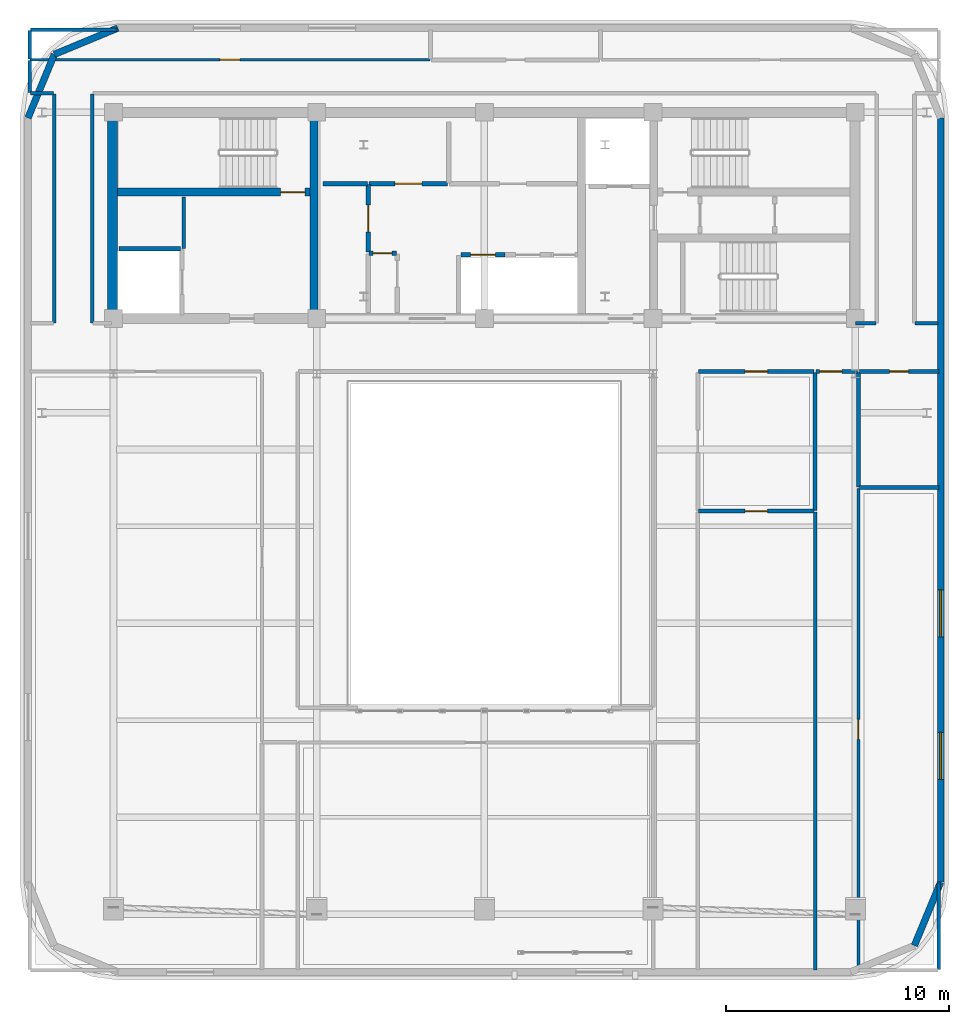
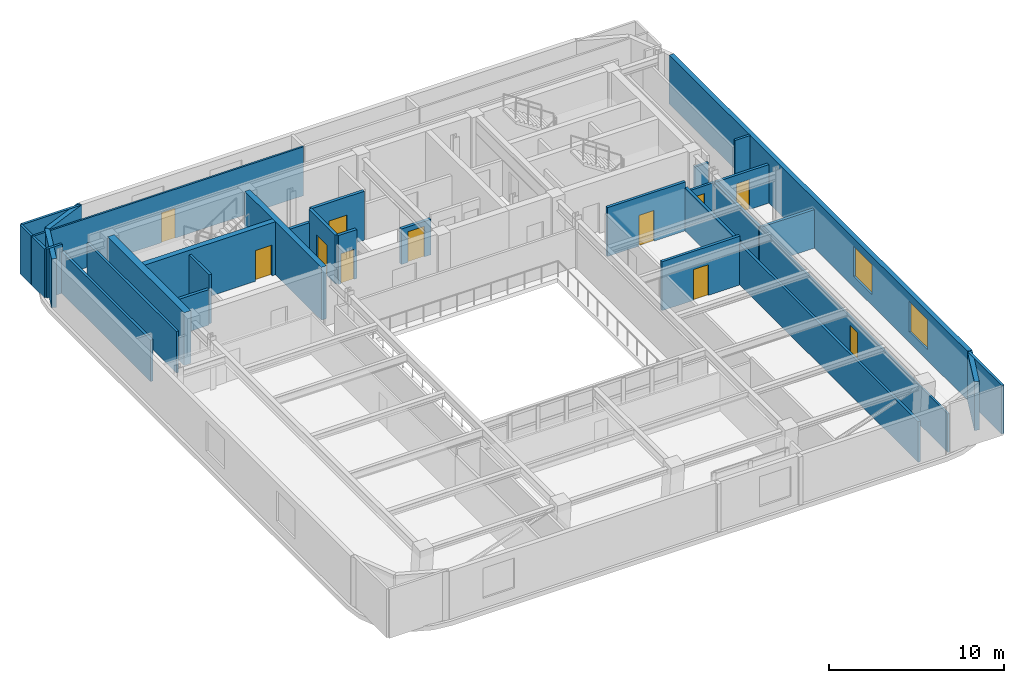
# One storey, part 7 of 12: 33 walls, 11 doors, 2 windows, 13 openings.
"""IFC4 building model written with IfcOpenShell, lengths in metres."""

import ifcopenshell
import ifcopenshell.guid

model = None  # the IFC model being written
_history = None  # IfcOwnerHistory: only IFC2X3 demands one
_inside = {}  # id of a spatial element -> (the spatial element, [elements in it])
_under = {}  # id of a project, library or spatial element -> (it, [spatial elements below it])
_declared = {}  # id of a project -> (the project, [libraries it declares])
_typed = {}  # id of a type object -> (the type object, [elements of that type])
_made_of = {}  # id of a material, layer set ... -> (it, [elements and type objects made of it])


def new_model(schema):
    """Start an empty IFC model of exactly this schema.

    Asked for "IFC4X3", IfcOpenShell would pick the latest addendum, in which some entities
    have other attributes; the version numbers below select the first issue.
    IFC2X3 requires an IfcOwnerHistory on every rooted entity: one is made here for all.
    """
    global model, _history
    if schema == "IFC4X3":
        model = ifcopenshell.file(schema_version=(4, 3, 0, 0))
    else:
        model = ifcopenshell.file(schema=schema)
    _inside.clear()
    _under.clear()
    _declared.clear()
    _typed.clear()
    _made_of.clear()
    _history = None
    if model.schema == "IFC2X3":
        org = make("IfcOrganization", Name="unknown")
        user = make(
            "IfcPersonAndOrganization",
            ThePerson=make("IfcPerson", FamilyName="unknown"),
            TheOrganization=org,
        )
        app = make(
            "IfcApplication",
            ApplicationDeveloper=org,
            Version="unknown",
            ApplicationFullName="unknown",
            ApplicationIdentifier="unknown",
        )
        _history = make(
            "IfcOwnerHistory",
            OwningUser=user,
            OwningApplication=app,
            ChangeAction="ADDED",
            CreationDate=0,
        )
    return model


def make(cls, **values):
    """One entity of the class cls with the attributes given. An attribute that is None is left unset."""
    return model.create_entity(
        cls, **{name: value for name, value in values.items() if value is not None}
    )


def rooted(cls, **values):
    """An entity with a GlobalId (a new one), such as an element, a storey or a relation."""
    return make(cls, GlobalId=ifcopenshell.guid.new(), OwnerHistory=_history, **values)


def si_unit(unit_type, name, prefix=None):
    """IfcSIUnit, for example si_unit("LENGTHUNIT", "METRE", prefix="MILLI")."""
    return make("IfcSIUnit", UnitType=unit_type, Prefix=prefix, Name=name)


def assignment(units):
    """IfcUnitAssignment: the units of a project."""
    return None if units is None else make("IfcUnitAssignment", Units=units)


def point(xyz):
    """IfcCartesianPoint."""
    return None if xyz is None else make("IfcCartesianPoint", Coordinates=xyz)


def direction(xyz):
    """IfcDirection."""
    return None if xyz is None else make("IfcDirection", DirectionRatios=xyz)


def frame(location, z_axis=None, x_axis=None):
    """IfcAxis2Placement3D, a coordinate frame: its origin and axes. An axis left out is left unset."""
    return make(
        "IfcAxis2Placement3D",
        Location=point(location),
        Axis=direction(z_axis),
        RefDirection=direction(x_axis),
    )


def frame_2d(location, x_axis=None):
    """IfcAxis2Placement2D, a coordinate frame in the plane: its origin and x axis."""
    return make(
        "IfcAxis2Placement2D", Location=point(location), RefDirection=direction(x_axis)
    )


def origin():
    """The frame at (0, 0, 0) with its axes left unset."""
    return frame((0.0, 0.0, 0.0))


def place(relative_to, where):
    """IfcLocalPlacement: puts the frame where relative to a parent placement (None: the world)."""
    return make(
        "IfcLocalPlacement", PlacementRelTo=relative_to, RelativePlacement=where
    )


def context(
    kind, dimensions, precision=None, world=None, true_north=None, identifier=None
):
    """IfcGeometricRepresentationContext, for example the 3D "Model" context."""
    return make(
        "IfcGeometricRepresentationContext",
        ContextIdentifier=identifier,
        ContextType=kind,
        CoordinateSpaceDimension=dimensions,
        Precision=precision,
        WorldCoordinateSystem=world,
        TrueNorth=true_north,
    )


def subcontext(parent, identifier, kind, view, scale=None):
    """IfcGeometricRepresentationSubContext, for example "Body" below "Model"."""
    return make(
        "IfcGeometricRepresentationSubContext",
        ContextIdentifier=identifier,
        ContextType=kind,
        ParentContext=parent,
        TargetScale=scale,
        TargetView=view,
    )


def project(units=None, contexts=None):
    """IfcProject with its units and contexts."""
    return rooted(
        "IfcProject",
        Name="project",
        RepresentationContexts=contexts,
        UnitsInContext=assignment(units),
    )


def spatial(cls, under=None, at=None, **own):
    """A site, building, storey or space (cls), placed at a placement, below another one or the project."""
    s = rooted(cls, ObjectPlacement=at, **own)
    if under is not None:
        _under.setdefault(under.id(), (under, []))[1].append(s)
    return s


def profile(cls, at=None, kind="AREA", **sizes):
    """A parametric profile (cls). Its sizes go by their IFC names, for example OverallWidth=200.0."""
    return make(cls, ProfileType=kind, Position=at, **sizes)


def rectangle(**sizes):
    """IfcRectangleProfileDef."""
    return profile("IfcRectangleProfileDef", **sizes)


def extrude(swept, where, along, depth):
    """IfcExtrudedAreaSolid: the profile swept, set in the frame where, extruded along a direction by depth."""
    return make(
        "IfcExtrudedAreaSolid",
        SweptArea=swept,
        Position=where,
        ExtrudedDirection=direction(along),
        Depth=depth,
    )


def shape(context_of_items, identifier, shape_type, items):
    """IfcShapeRepresentation: the items that make up one representation, for example the "Body"."""
    return make(
        "IfcShapeRepresentation",
        ContextOfItems=context_of_items,
        RepresentationIdentifier=identifier,
        RepresentationType=shape_type,
        Items=items,
    )


def material(Name=None, Category=None):
    """IfcMaterial."""
    return make("IfcMaterial", Name=Name, Category=Category)


def layer(
    of_material, thickness, ventilated=None, Name=None, Category=None, Priority=None
):
    """IfcMaterialLayer: one layer of a wall or slab, of a material (None: an air gap)."""
    return make(
        "IfcMaterialLayer",
        Material=of_material,
        LayerThickness=thickness,
        IsVentilated=ventilated,
        Name=Name,
        Category=Category,
        Priority=Priority,
    )


def layer_set(layers, Name=None):
    """IfcMaterialLayerSet."""
    return make("IfcMaterialLayerSet", MaterialLayers=layers, LayerSetName=Name)


def made_of(thing, what):
    """Note that an element or type object is made of a material, layer set ...; save() writes the relation."""
    if what is not None:
        _made_of.setdefault(what.id(), (what, []))[1].append(thing)
    return thing


def type_object(cls, material=None, **own):
    """A type object (cls), such as IfcWallType, which elements share."""
    return made_of(rooted(cls, **own), material)


def element(
    cls,
    number,
    at=None,
    inside=None,
    cuts=None,
    type_object=None,
    material=None,
    context=None,
    identifier="Body",
    shape_type=None,
    held_by="IfcProductDefinitionShape",
    body=None,
    shapes=None,
    **own,
):
    """One element of the class cls, such as IfcWall. Its Tag is "e" and its number.

    at: its placement. inside: the storey or other place that contains it. cuts: it is an
    opening in that element (IfcRelVoidsElement). A single representation is given by context,
    identifier, shape_type and body (its items); several are given by shapes. held_by: the class
    of the entity that holds the representations. save() writes the other relations.
    """
    e = rooted(cls, Tag="e%d" % number, ObjectPlacement=at, **own)
    if body is not None:
        shapes = [shape(context, identifier, shape_type, body)]
    if shapes is not None:
        e.Representation = make(held_by, Representations=shapes)
    if inside is not None:
        _inside.setdefault(inside.id(), (inside, []))[1].append(e)
    if cuts is not None:
        rooted(
            "IfcRelVoidsElement", RelatingBuildingElement=cuts, RelatedOpeningElement=e
        )
    if type_object is not None:
        _typed.setdefault(type_object.id(), (type_object, []))[1].append(e)
    return made_of(e, material)


def fill(opening, filler):
    """IfcRelFillsElement: the door or window that sits in an opening."""
    return rooted(
        "IfcRelFillsElement",
        RelatingOpeningElement=opening,
        RelatedBuildingElement=filler,
    )


def aggregate(whole, parts):
    """IfcRelAggregates: a whole, such as a stair, and the parts it consists of."""
    return rooted("IfcRelAggregates", RelatingObject=whole, RelatedObjects=parts)


def save(model, path):
    """Write the relations noted so far, then the file.

    IfcRelAggregates (storeys below a building ...), IfcRelContainedInSpatialStructure (elements
    in a storey), IfcRelDefinesByType, IfcRelAssociatesMaterial and IfcRelDeclares: one each for
    every whole, place, type object, material and project.
    """
    for whole, parts in _under.values():
        aggregate(whole, parts)
    for where, things in _inside.values():
        rooted(
            "IfcRelContainedInSpatialStructure",
            RelatedElements=things,
            RelatingStructure=where,
        )
    for kind, things in _typed.values():
        rooted("IfcRelDefinesByType", RelatedObjects=things, RelatingType=kind)
    for what, things in _made_of.values():
        rooted("IfcRelAssociatesMaterial", RelatedObjects=things, RelatingMaterial=what)
    for by, libraries in _declared.values():
        rooted("IfcRelDeclares", RelatingContext=by, RelatedDefinitions=libraries)
    model.write(path)


model = new_model("IFC4")

# Units and contexts
model_context = context("Model", 3, precision=1e-05, world=origin(), true_north=direction((0.0, 1.0)))
body_context = subcontext(model_context, "Body", "Model", "MODEL_VIEW")
ifc_project = project(units=[si_unit("LENGTHUNIT", "METRE"), si_unit("AREAUNIT", "SQUARE_METRE"), si_unit("VOLUMEUNIT", "CUBIC_METRE"), si_unit("PLANEANGLEUNIT", "RADIAN"), si_unit("MASSUNIT", "GRAM", prefix="KILO")], contexts=[model_context])

# Site, building, storey
site_placement = place(None, origin())
site = spatial("IfcSite", under=ifc_project, at=site_placement, CompositionType="ELEMENT")
building_placement = place(site_placement, origin())
building = spatial("IfcBuilding", under=site, at=building_placement, Name="Zarnavel Station Tower", CompositionType="ELEMENT")
storey_placement = place(building_placement, frame((0.0, 0.0, 273.199951171875)))
storey = spatial("IfcBuildingStorey", under=building, at=storey_placement, Name="L74", CompositionType="ELEMENT", Elevation=273.199951171875)

# Wall
ifc_material_1 = material(Name="Concrete C50/60", Category="concrete")
ifc_layer_1 = layer(ifc_material_1, 0.35009765625)
ifc_layer_set_1 = layer_set([ifc_layer_1], Name="CW_350")
wall_type_1 = type_object("IfcWallType", Name="CW_350", PredefinedType="SHEAR", material=ifc_layer_set_1)
wall_1_placement = place(storey_placement, frame((21.179931640625, 28.044921875, 0.0), z_axis=(0.0, 0.0, 1.0), x_axis=(0.0, 1.0, 0.0)))
element("IfcWall", 1, at=wall_1_placement, inside=storey, type_object=wall_type_1, Name="L74 Rear Core Shear Wall DIV-W", PredefinedType="SHEAR", context=body_context, shape_type="SweptSolid", body=[
    extrude(rectangle(XDim=8.780029296875, YDim=0.35009765625, at=frame_2d((4.39013671875, 0.0))), origin(), (0.0, 0.0, 1.0), 3.699951171875),
])

# Wall, opening, door
wall_2_placement = place(storey_placement, frame((21.0048828125, 33.47998046875, 0.0), z_axis=(0.0, 0.0, 1.0), x_axis=(-1.0, 0.0, 0.0)))
wall_2 = element("IfcWall", 2, at=wall_2_placement, inside=storey, type_object=wall_type_1, Name="L74 Rear Core Shear Wall DIV-H1", PredefinedType="SHEAR", context=body_context, shape_type="SweptSolid", body=[
    extrude(rectangle(XDim=8.6298828125, YDim=0.35009765625, at=frame_2d((4.31494140625, 0.0))), origin(), (0.0, 0.0, 1.0), 3.699951171875),
])
opening_1_placement = place(wall_2_placement, frame((0.219970703125, 0.0, 0.0)))
opening_1 = element("IfcOpeningElement", 3, at=opening_1_placement, cuts=wall_2, Name="Opening FD01", PredefinedType="OPENING", context=body_context, shape_type="SweptSolid", body=[
    extrude(rectangle(XDim=1.10009765625, YDim=2.14990234375, at=frame_2d((0.550048828125, 1.074951171875))), frame((0.0, 0.18505859375, 0.0), z_axis=(0.0, -1.0, 0.0), x_axis=(1.0, 0.0, 0.0)), (0.0, 0.0, 1.0), 0.3701171875),
])
ifc_material_2 = material(Name="Painted Galvanised Steel and Hardwood Leaf", Category="steel")
door_type_1 = type_object("IfcDoorType", Name="ID_STAIR_1100", OperationType="NOTDEFINED", PredefinedType="DOOR", material=ifc_material_2)
door_1_placement = place(opening_1_placement, origin())
door_1 = element("IfcDoor", 4, at=door_1_placement, inside=storey, type_object=door_type_1, Name="L74 Stair ST1 Lobby Fire Door", OperationType="SINGLE_SWING_LEFT", OverallHeight=2.14990234375, OverallWidth=1.10009765625, PredefinedType="DOOR", context=body_context, shape_type="SweptSolid", body=[
    extrude(rectangle(XDim=1.10009765625, YDim=2.14990234375, at=frame_2d((0.550048828125, 1.074951171875))), frame((0.0, 0.02490234375, 0.0), z_axis=(0.0, -1.0, 0.0), x_axis=(1.0, 0.0, 0.0)), (0.0, 0.0, 1.0), 0.050048828125),
])
fill(opening_1, door_1)

# Walls
ifc_material_3 = material(Name="Concrete C50/60", Category="concrete")
ifc_layer_2 = layer(ifc_material_3, 0.449951171875)
ifc_layer_set_2 = layer_set([ifc_layer_2], Name="CW_450")
wall_type_2 = type_object("IfcWallType", Name="CW_450", PredefinedType="SHEAR", material=ifc_layer_set_2)
wall_3_placement = place(storey_placement, frame((12.14990234375, 28.044921875, 0.0), z_axis=(0.0, 0.0, 1.0), x_axis=(0.0, 1.0, 0.0)))
element("IfcWall", 5, at=wall_3_placement, inside=storey, type_object=wall_type_2, Name="L74 Rear Core Shear Wall W", PredefinedType="SHEAR", context=body_context, shape_type="SweptSolid", body=[
    extrude(rectangle(XDim=8.780029296875, YDim=0.449951171875, at=frame_2d((4.39013671875, 0.0))), origin(), (0.0, 0.0, 1.0), 3.699951171875),
])
ifc_material_4 = material(Name="Precast concrete C45/55 (Dark Basalt Finish)", Category="masonry")
ifc_layer_3 = layer(ifc_material_4, 0.300048828125)
ifc_layer_set_3 = layer_set([ifc_layer_3], Name="EW_BASALT_300")
wall_type_3 = type_object("IfcWallType", Name="EW_BASALT_300", PredefinedType="SOLIDWALL", material=ifc_layer_set_3)
wall_4_placement = place(storey_placement, frame((49.219970703125, 2.60009765625, 0.0), z_axis=(0.0, 0.0, 1.0), x_axis=(-0.382676475685, -0.923882414032, 0.0)))
element("IfcWall", 6, at=wall_4_placement, inside=storey, type_object=wall_type_3, Name="L74 Exterior Basalt Masonry Frame Wall 02", PredefinedType="SOLIDWALL", context=body_context, shape_type="SweptSolid", body=[
    extrude(rectangle(XDim=3.076904296875, YDim=0.300048828125, at=frame_2d((1.53857421875, 0.0))), origin(), (0.0, 0.0, 1.0), 3.420166015625),
])

# Wall, openings, windows
wall_5_placement = place(storey_placement, frame((49.219970703125, 36.800048828125, 0.0), z_axis=(0.0, 0.0, 1.0), x_axis=(0.0, -1.0, 0.0)))
wall_5 = element("IfcWall", 7, at=wall_5_placement, inside=storey, type_object=wall_type_3, Name="L74 Exterior Basalt Masonry Frame Wall 03", PredefinedType="SOLIDWALL", context=body_context, shape_type="SweptSolid", body=[
    extrude(rectangle(XDim=34.199951171875, YDim=0.300048828125, at=frame_2d((17.10009765625, 0.0))), origin(), (0.0, 0.0, 1.0), 3.420166015625),
])
opening_2_placement = place(wall_5_placement, frame((21.126708984375, 0.0, 0.75)))
opening_2 = element("IfcOpeningElement", 8, at=opening_2_placement, cuts=wall_5, Name="Opening WN05", PredefinedType="OPENING", context=body_context, shape_type="SweptSolid", body=[
    extrude(rectangle(XDim=2.10009765625, YDim=2.10009765625, at=frame_2d((1.050048828125, 1.050048828125))), frame((0.0, 0.159912109375, 0.0), z_axis=(0.0, -1.0, 0.0), x_axis=(1.0, 0.0, 0.0)), (0.0, 0.0, 1.0), 0.320068359375),
])
opening_3_placement = place(wall_5_placement, frame((27.50341796875, 0.0, 0.75)))
opening_3 = element("IfcOpeningElement", 9, at=opening_3_placement, cuts=wall_5, Name="Opening WN05", PredefinedType="OPENING", context=body_context, shape_type="SweptSolid", body=[
    extrude(rectangle(XDim=2.10009765625, YDim=2.10009765625, at=frame_2d((1.050048828125, 1.050048828125))), frame((0.0, 0.159912109375, 0.0), z_axis=(0.0, -1.0, 0.0), x_axis=(1.0, 0.0, 0.0)), (0.0, 0.0, 1.0), 0.320068359375),
])
ifc_material_5 = material(Name="Thermally Broken Black Aluminium and Low-E Dark Glass", Category="aluminium")
window_type = type_object("IfcWindowType", Name="WN_2100x2100", PartitioningType="TRIPLE_PANEL_VERTICAL", PredefinedType="WINDOW", material=ifc_material_5)
window_1_placement = place(opening_2_placement, origin())
window_1 = element("IfcWindow", 10, at=window_1_placement, inside=storey, type_object=window_type, Name="L74 Recessed Facade Window 01", OverallHeight=2.10009765625, OverallWidth=2.10009765625, PartitioningType="SINGLE_PANEL", PredefinedType="WINDOW", context=body_context, shape_type="SweptSolid", body=[
    extrude(rectangle(XDim=2.10009765625, YDim=2.10009765625, at=frame_2d((1.050048828125, 1.050048828125))), frame((0.0, 0.030029296875, 0.0), z_axis=(0.0, -1.0, 0.0), x_axis=(1.0, 0.0, 0.0)), (0.0, 0.0, 1.0), 0.06005859375),
])
fill(opening_2, window_1)
window_2_placement = place(opening_3_placement, origin())
window_2 = element("IfcWindow", 11, at=window_2_placement, inside=storey, type_object=window_type, Name="L74 Recessed Facade Window 02", OverallHeight=2.10009765625, OverallWidth=2.10009765625, PartitioningType="SINGLE_PANEL", PredefinedType="WINDOW", context=body_context, shape_type="SweptSolid", body=[
    extrude(rectangle(XDim=2.10009765625, YDim=2.10009765625, at=frame_2d((1.050048828125, 1.050048828125))), frame((0.0, 0.030029296875, 0.0), z_axis=(0.0, -1.0, 0.0), x_axis=(1.0, 0.0, 0.0)), (0.0, 0.0, 1.0), 0.06005859375),
])
fill(opening_3, window_2)

# Walls
for number, where, z_axis, x_axis, name in (
    (12, (9.557373046875, 39.642578125, 0.0), (0.0, 0.0, 1.0), (0.923870793506, 0.382704529509, 0.0), "L74 Exterior Basalt Masonry Frame Wall 07"),
    (13, (8.3798828125, 36.800048828125, 0.0), (0.0, 0.0, 1.0), (0.382704529509, 0.923870793506, 0.0), "L74 Exterior Basalt Masonry Frame Wall 08"),
):
    element("IfcWall", number, at=place(storey_placement, frame(where, z_axis=z_axis, x_axis=x_axis)), inside=storey, type_object=wall_type_3, Name=name, PredefinedType="SOLIDWALL", context=body_context, shape_type="SweptSolid", body=[
        extrude(rectangle(XDim=3.07666015625, YDim=0.300048828125, at=frame_2d((1.538330078125, 0.0))), origin(), (0.0, 0.0, 1.0), 3.420166015625),
    ])

# Wall, opening, door
ifc_material_6 = material(Name="Gypsum Twin-Stud Acoustic Fire Partition", Category="concrete")
ifc_layer_4 = layer(ifc_material_6, 0.159912109375)
ifc_layer_set_4 = layer_set([ifc_layer_4], Name="PT_DEMISE_160")
wall_type_4 = type_object("IfcWallType", Name="PT_DEMISE_160", PredefinedType="PARTITIONING", material=ifc_layer_set_4)
wall_6_placement = place(storey_placement, frame((43.639892578125, 25.449951171875, 0.0), z_axis=(0.0, 0.0, 1.0), x_axis=(1.0, 0.0, 0.0)))
wall_6 = element("IfcWall", 14, at=wall_6_placement, inside=storey, type_object=wall_type_4, Name="L74 Partition COR-S-SPDR", PredefinedType="PARTITIONING", context=body_context, shape_type="SweptSolid", body=[
    extrude(rectangle(XDim=1.860107421875, YDim=0.159912109375, at=frame_2d((0.93017578125, 0.0))), origin(), (0.0, 0.0, 1.0), 2.699951171875),
])
opening_4_placement = place(wall_6_placement, frame((0.164306640625, 0.0, 0.0)))
opening_4 = element("IfcOpeningElement", 15, at=opening_4_placement, cuts=wall_6, Name="Opening FD02", PredefinedType="OPENING", context=body_context, shape_type="SweptSolid", body=[
    extrude(rectangle(XDim=1.0, YDim=2.14990234375, at=frame_2d((0.5, 1.074951171875))), frame((0.0, 0.08984375, 0.0), z_axis=(0.0, -1.0, 0.0), x_axis=(1.0, 0.0, 0.0)), (0.0, 0.0, 1.0), 0.179931640625),
])
ifc_material_7 = material(Name="Painted Galvanised Steel and Hardwood Leaf", Category="steel")
door_type_2 = type_object("IfcDoorType", Name="ID_ENTRY_1000", OperationType="NOTDEFINED", PredefinedType="DOOR", material=ifc_material_7)
door_2_placement = place(opening_4_placement, origin())
door_2 = element("IfcDoor", 16, at=door_2_placement, inside=storey, type_object=door_type_2, Name="L74 Door COR-S-SPDR", OperationType="SINGLE_SWING_RIGHT", OverallHeight=2.14990234375, OverallWidth=1.0, PredefinedType="DOOR", context=body_context, shape_type="SweptSolid", body=[
    extrude(rectangle(XDim=1.0, YDim=2.14990234375, at=frame_2d((0.5, 1.074951171875))), frame((0.0, 0.02490234375, 0.0), z_axis=(0.0, -1.0, 0.0), x_axis=(1.0, 0.0, 0.0)), (0.0, 0.0, 1.0), 0.050048828125),
])
fill(opening_4, door_2)

# Walls
wall_7_placement = place(storey_placement, frame((43.60009765625, -1.340087890625, 0.0), z_axis=(0.0, 0.0, 1.0), x_axis=(0.0, 1.0, 0.0)))
element("IfcWall", 17, at=wall_7_placement, inside=storey, type_object=wall_type_4, Name="L74 Partition SSTR-SPDR", PredefinedType="PARTITIONING", context=body_context, shape_type="SweptSolid", body=[
    extrude(rectangle(XDim=20.5, YDim=0.159912109375, at=frame_2d((10.25, 0.0))), origin(), (0.0, 0.0, 1.0), 2.85009765625),
])
wall_8_placement = place(storey_placement, frame((15.35009765625, 30.9599609375, 0.0), z_axis=(0.0, 0.0, 1.0), x_axis=(0.0, 1.0, 0.0)))
element("IfcWall", 18, at=wall_8_placement, inside=storey, type_object=wall_type_4, Name="L74 Enclosure Wall FFL1", PredefinedType="PARTITIONING", context=body_context, shape_type="SweptSolid", body=[
    extrude(rectangle(XDim=2.31005859375, YDim=0.159912109375, at=frame_2d((1.155029296875, 0.0))), origin(), (0.0, 0.0, 1.0), 3.420166015625),
])
wall_9_placement = place(storey_placement, frame((45.409912109375, 27.60009765625, 0.0), z_axis=(0.0, 0.0, 1.0), x_axis=(1.0, 0.0, 0.0)))
element("IfcWall", 19, at=wall_9_placement, inside=storey, type_object=wall_type_4, Name="L74 Enclosure Wall COR-S", PredefinedType="PARTITIONING", context=body_context, shape_type="SweptSolid", body=[
    extrude(rectangle(XDim=0.91015625, YDim=0.159912109375, at=frame_2d((0.455078125, 0.0))), origin(), (0.0, 0.0, 1.0), 2.489990234375),
])
wall_10_placement = place(storey_placement, frame((48.080078125, 27.60009765625, 0.0), z_axis=(0.0, 0.0, 1.0), x_axis=(1.0, 0.0, 0.0)))
element("IfcWall", 20, at=wall_10_placement, inside=storey, type_object=wall_type_4, Name="L74 Enclosure Wall COR-S", PredefinedType="PARTITIONING", context=body_context, shape_type="SweptSolid", body=[
    extrude(rectangle(XDim=1.030029296875, YDim=0.159912109375, at=frame_2d((0.51513671875, 0.0))), origin(), (0.0, 0.0, 1.0), 3.420166015625),
])
for number, where, z_axis, x_axis, name in (
    (21, (9.550048828125, 27.6298828125, 0.0), (0.0, 0.0, 1.0), (0.0, 1.0, 0.0), "L74 Enclosure Wall COR-W"),
    (22, (11.25, 27.6298828125, 0.0), (0.0, 0.0, 1.0), (0.0, 1.0, 0.0), "L74 Enclosure Wall COR-W"),
):
    element("IfcWall", number, at=place(storey_placement, frame(where, z_axis=z_axis, x_axis=x_axis)), inside=storey, type_object=wall_type_4, Name=name, PredefinedType="PARTITIONING", context=body_context, shape_type="SweptSolid", body=[
        extrude(rectangle(XDim=10.240234375, YDim=0.159912109375, at=frame_2d((5.1201171875, 0.0))), origin(), (0.0, 0.0, 1.0), 2.900146484375),
    ])
wall_11_placement = place(storey_placement, frame((8.489990234375, 37.89990234375, 0.0), z_axis=(0.0, 0.0, 1.0), x_axis=(1.0, 0.0, 0.0)))
element("IfcWall", 23, at=wall_11_placement, inside=storey, type_object=wall_type_4, Name="L74 Enclosure Wall COR-N", PredefinedType="PARTITIONING", context=body_context, shape_type="SweptSolid", body=[
    extrude(rectangle(XDim=1.030029296875, YDim=0.159912109375, at=frame_2d((0.51513671875, 0.0))), origin(), (0.0, 0.0, 1.0), 3.420166015625),
])
wall_12_placement = place(storey_placement, frame((8.4599609375, 37.929931640625, 0.0), z_axis=(0.0, 0.0, 1.0), x_axis=(0.0, 1.0, 0.0)))
element("IfcWall", 24, at=wall_12_placement, inside=storey, type_object=wall_type_4, Name="L74 Enclosure Wall COR-N", PredefinedType="PARTITIONING", context=body_context, shape_type="SweptSolid", body=[
    extrude(rectangle(XDim=1.440185546875, YDim=0.159912109375, at=frame_2d((0.72021484375, 0.0))), origin(), (0.0, 0.0, 1.0), 3.420166015625),
])
wall_13_placement = place(storey_placement, frame((8.489990234375, 40.739990234375, 0.0), z_axis=(0.0, 0.0, 1.0), x_axis=(1.0, 0.0, 0.0)))
element("IfcWall", 25, at=wall_13_placement, inside=storey, type_object=wall_type_4, Name="L74 Enclosure Wall NSTD", PredefinedType="PARTITIONING", context=body_context, shape_type="SweptSolid", body=[
    extrude(rectangle(XDim=3.880126953125, YDim=0.159912109375, at=frame_2d((1.93994140625, 0.0))), origin(), (0.0, 0.0, 1.0), 3.420166015625),
])
wall_14_placement = place(storey_placement, frame((8.4599609375, 39.429931640625, 0.0), z_axis=(0.0, 0.0, 1.0), x_axis=(0.0, 1.0, 0.0)))
element("IfcWall", 26, at=wall_14_placement, inside=storey, type_object=wall_type_4, Name="L74 Enclosure Wall NSTD", PredefinedType="PARTITIONING", context=body_context, shape_type="SweptSolid", body=[
    extrude(rectangle(XDim=1.280029296875, YDim=0.159912109375, at=frame_2d((0.64013671875, 0.0))), origin(), (0.0, 0.0, 1.0), 3.420166015625),
])
wall_15_placement = place(storey_placement, frame((49.139892578125, -1.31005859375, 0.0), z_axis=(0.0, 0.0, 1.0), x_axis=(0.0, 1.0, 0.0)))
element("IfcWall", 27, at=wall_15_placement, inside=storey, type_object=wall_type_4, Name="L74 Enclosure Wall SLGN", PredefinedType="PARTITIONING", context=body_context, shape_type="SweptSolid", body=[
    extrude(rectangle(XDim=3.880126953125, YDim=0.159912109375, at=frame_2d((1.93994140625, 0.0))), origin(), (0.0, 0.0, 1.0), 3.420166015625),
])

# Wall, opening, door
ifc_material_8 = material(Name="Gypsum Metal-Stud Interior Partition", Category="concrete")
ifc_layer_5 = layer(ifc_material_8, 0.1201171875)
ifc_layer_set_5 = layer_set([ifc_layer_5], Name="PT_ROOM_120")
wall_type_5 = type_object("IfcWallType", Name="PT_ROOM_120", PredefinedType="PARTITIONING", material=ifc_layer_set_5)
wall_16_placement = place(storey_placement, frame((8.4599609375, 39.39990234375, 0.0), z_axis=(0.0, 0.0, 1.0), x_axis=(1.0, 0.0, 0.0)))
wall_16 = element("IfcWall", 28, at=wall_16_placement, inside=storey, type_object=wall_type_5, Name="L74 Partition COR-N-NSTD", PredefinedType="PARTITIONING", context=body_context, shape_type="SweptSolid", body=[
    extrude(rectangle(XDim=17.900146484375, YDim=0.1201171875, at=frame_2d((8.9501953125, 0.0))), origin(), (0.0, 0.0, 1.0), 3.420166015625),
])
opening_5_placement = place(wall_16_placement, frame((8.5, 0.0, 0.0)))
opening_5 = element("IfcOpeningElement", 29, at=opening_5_placement, cuts=wall_16, Name="Opening ID01", PredefinedType="OPENING", context=body_context, shape_type="SweptSolid", body=[
    extrude(rectangle(XDim=0.89990234375, YDim=2.10009765625, at=frame_2d((0.449951171875, 1.050048828125))), frame((0.0, 0.070068359375, 0.0), z_axis=(0.0, -1.0, 0.0), x_axis=(1.0, 0.0, 0.0)), (0.0, 0.0, 1.0), 0.14013671875),
])
ifc_material_9 = material(Name="Painted Galvanised Steel and Hardwood Leaf", Category="steel")
door_type_3 = type_object("IfcDoorType", Name="ID_ROOM_900", OperationType="NOTDEFINED", PredefinedType="DOOR", material=ifc_material_9)
door_3_placement = place(opening_5_placement, origin())
door_3 = element("IfcDoor", 30, at=door_3_placement, inside=storey, type_object=door_type_3, Name="L74 Door COR-N-NSTD", OperationType="SINGLE_SWING_LEFT", OverallHeight=2.10009765625, OverallWidth=0.89990234375, PredefinedType="DOOR", context=body_context, shape_type="SweptSolid", body=[
    extrude(rectangle(XDim=0.89990234375, YDim=2.10009765625, at=frame_2d((0.449951171875, 1.050048828125))), frame((0.0, 0.02490234375, 0.0), z_axis=(0.0, -1.0, 0.0), x_axis=(1.0, 0.0, 0.0)), (0.0, 0.0, 1.0), 0.050048828125),
])
fill(opening_5, door_3)

wall_17_placement = place(storey_placement, frame((45.5400390625, -1.340087890625, 0.0), z_axis=(0.0, 0.0, 1.0), x_axis=(0.0, 1.0, 0.0)))
wall_17 = element("IfcWall", 31, at=wall_17_placement, inside=storey, type_object=wall_type_5, Name="L74 Partition SPDR-SLGN", PredefinedType="PARTITIONING", context=body_context, shape_type="SweptSolid", body=[
    extrude(rectangle(XDim=21.550048828125, YDim=0.1201171875, at=frame_2d((10.77490234375, 0.0))), origin(), (0.0, 0.0, 1.0), 2.699951171875),
])
opening_6_placement = place(wall_17_placement, frame((10.324951171875, 0.0, 0.0)))
opening_6 = element("IfcOpeningElement", 32, at=opening_6_placement, cuts=wall_17, Name="Opening ID01", PredefinedType="OPENING", context=body_context, shape_type="SweptSolid", body=[
    extrude(rectangle(XDim=0.89990234375, YDim=2.10009765625, at=frame_2d((0.449951171875, 1.050048828125))), frame((0.0, 0.070068359375, 0.0), z_axis=(0.0, -1.0, 0.0), x_axis=(1.0, 0.0, 0.0)), (0.0, 0.0, 1.0), 0.14013671875),
])
door_4_placement = place(opening_6_placement, origin())
door_4 = element("IfcDoor", 33, at=door_4_placement, inside=storey, type_object=door_type_3, Name="L74 Door SPDR-SLGN", OperationType="SINGLE_SWING_LEFT", OverallHeight=2.10009765625, OverallWidth=0.89990234375, PredefinedType="DOOR", context=body_context, shape_type="SweptSolid", body=[
    extrude(rectangle(XDim=0.89990234375, YDim=2.10009765625, at=frame_2d((0.449951171875, 1.050048828125))), frame((0.0, 0.02490234375, 0.0), z_axis=(0.0, -1.0, 0.0), x_axis=(1.0, 0.0, 0.0)), (0.0, 0.0, 1.0), 0.050048828125),
])
fill(opening_6, door_4)

# Wall
ifc_material_10 = material(Name="Precast concrete C45/55 (Fire Shaft Blockwork)", Category="masonry")
ifc_layer_6 = layer(ifc_material_10, 0.199951171875)
ifc_layer_set_6 = layer_set([ifc_layer_6], Name="PT_SHAFT_200")
wall_type_6 = type_object("IfcWallType", Name="PT_SHAFT_200", PredefinedType="PARTITIONING", material=ifc_layer_set_6)
wall_18_placement = place(storey_placement, frame((12.449951171875, 30.949951171875, 0.0), z_axis=(0.0, 0.0, 1.0), x_axis=(1.0, 0.0, 0.0)))
element("IfcWall", 34, at=wall_18_placement, inside=storey, type_object=wall_type_6, Name="L74 Lift FFL-01 North Shaft Wall", PredefinedType="PARTITIONING", context=body_context, shape_type="SweptSolid", body=[
    extrude(rectangle(XDim=2.75, YDim=0.199951171875, at=frame_2d((1.375, 0.0))), origin(), (0.0, 0.0, 1.0), 2.489990234375),
])

# Wall, opening, door
wall_19_placement = place(storey_placement, frame((27.75, 30.669921875, 0.0), z_axis=(0.0, 0.0, 1.0), x_axis=(1.0, 0.0, 0.0)))
wall_19 = element("IfcWall", 35, at=wall_19_placement, inside=storey, type_object=wall_type_6, Name="L74 Lift PL-H1 Shaft Front Wall", PredefinedType="PARTITIONING", context=body_context, shape_type="SweptSolid", body=[
    extrude(rectangle(XDim=1.97509765625, YDim=0.199951171875, at=frame_2d((0.987548828125, 0.0))), origin(), (0.0, 0.0, 1.0), 2.489990234375),
])
opening_7_placement = place(wall_19_placement, frame((0.4375, 0.0, 0.0)))
opening_7 = element("IfcOpeningElement", 36, at=opening_7_placement, cuts=wall_19, Name="Opening LD02", PredefinedType="OPENING", context=body_context, shape_type="SweptSolid", body=[
    extrude(rectangle(XDim=1.10009765625, YDim=2.14990234375, at=frame_2d((0.550048828125, 1.074951171875))), frame((0.0, 0.10986328125, 0.0), z_axis=(0.0, -1.0, 0.0), x_axis=(1.0, 0.0, 0.0)), (0.0, 0.0, 1.0), 0.219970703125),
])
ifc_material_11 = material(Name="Painted Galvanised Steel and Hardwood Leaf", Category="steel")
door_type_4 = type_object("IfcDoorType", Name="LD_PAX_1100", OperationType="DOUBLE_DOOR_SLIDING", PredefinedType="DOOR", material=ifc_material_11)
door_5_placement = place(opening_7_placement, origin())
door_5 = element("IfcDoor", 37, at=door_5_placement, inside=storey, type_object=door_type_4, Name="L74 Lift PL-H1 Sliding Landing Door", OperationType="DOUBLE_DOOR_SLIDING", OverallHeight=2.14990234375, OverallWidth=1.10009765625, PredefinedType="DOOR", context=body_context, shape_type="SweptSolid", body=[
    extrude(rectangle(XDim=1.10009765625, YDim=2.14990234375, at=frame_2d((0.550048828125, 1.074951171875))), frame((0.0, 0.02490234375, 0.0), z_axis=(0.0, -1.0, 0.0), x_axis=(1.0, 0.0, 0.0)), (0.0, 0.0, 1.0), 0.050048828125),
])
fill(opening_7, door_5)

wall_20_placement = place(storey_placement, frame((23.60009765625, 30.7900390625, 0.0), z_axis=(0.0, 0.0, 1.0), x_axis=(0.0, 1.0, 0.0)))
wall_20 = element("IfcWall", 38, at=wall_20_placement, inside=storey, type_object=wall_type_6, Name="L74 Partition LLOB-CS1", PredefinedType="PARTITIONING", context=body_context, shape_type="SweptSolid", body=[
    extrude(rectangle(XDim=3.02001953125, YDim=0.199951171875, at=frame_2d((1.510009765625, 0.0))), origin(), (0.0, 0.0, 1.0), 3.420166015625),
])
opening_8_placement = place(wall_20_placement, frame((0.909912109375, 0.0, 0.0)))
opening_8 = element("IfcOpeningElement", 39, at=opening_8_placement, cuts=wall_20, Name="Opening FD03", PredefinedType="OPENING", context=body_context, shape_type="SweptSolid", body=[
    extrude(rectangle(XDim=1.199951171875, YDim=2.14990234375, at=frame_2d((0.60009765625, 1.074951171875))), frame((0.0, 0.10986328125, 0.0), z_axis=(0.0, -1.0, 0.0), x_axis=(1.0, 0.0, 0.0)), (0.0, 0.0, 1.0), 0.219970703125),
])
ifc_material_12 = material(Name="Painted Galvanised Steel and Hardwood Leaf", Category="steel")
door_type_5 = type_object("IfcDoorType", Name="ID_PLANT_1200", OperationType="NOTDEFINED", PredefinedType="DOOR", material=ifc_material_12)
door_6_placement = place(opening_8_placement, origin())
door_6 = element("IfcDoor", 40, at=door_6_placement, inside=storey, type_object=door_type_5, Name="L74 Door LLOB-CS1", OperationType="SINGLE_SWING_LEFT", OverallHeight=2.14990234375, OverallWidth=1.199951171875, PredefinedType="DOOR", context=body_context, shape_type="SweptSolid", body=[
    extrude(rectangle(XDim=1.199951171875, YDim=2.14990234375, at=frame_2d((0.60009765625, 1.074951171875))), frame((0.0, 0.02490234375, 0.0), z_axis=(0.0, -1.0, 0.0), x_axis=(1.0, 0.0, 0.0)), (0.0, 0.0, 1.0), 0.050048828125),
])
fill(opening_8, door_6)

wall_21_placement = place(storey_placement, frame((23.639892578125, 30.75, 0.0), z_axis=(0.0, 0.0, 1.0), x_axis=(1.0, 0.0, 0.0)))
wall_21 = element("IfcWall", 41, at=wall_21_placement, inside=storey, type_object=wall_type_6, Name="L74 Partition LLOB-CS2", PredefinedType="PARTITIONING", context=body_context, shape_type="SweptSolid", body=[
    extrude(rectangle(XDim=1.22021484375, YDim=0.199951171875, at=frame_2d((0.610107421875, 0.0))), origin(), (0.0, 0.0, 1.0), 3.420166015625),
])
opening_9_placement = place(wall_21_placement, frame((0.18505859375, 0.0, 0.0)))
opening_9 = element("IfcOpeningElement", 42, at=opening_9_placement, cuts=wall_21, Name="Opening ID02", PredefinedType="OPENING", context=body_context, shape_type="SweptSolid", body=[
    extrude(rectangle(XDim=0.85009765625, YDim=2.10009765625, at=frame_2d((0.425048828125, 1.050048828125))), frame((0.0, 0.10986328125, 0.0), z_axis=(0.0, -1.0, 0.0), x_axis=(1.0, 0.0, 0.0)), (0.0, 0.0, 1.0), 0.219970703125),
])
ifc_material_13 = material(Name="Painted Galvanised Steel and Hardwood Leaf", Category="steel")
door_type_6 = type_object("IfcDoorType", Name="ID_BATH_850", OperationType="NOTDEFINED", PredefinedType="DOOR", material=ifc_material_13)
door_7_placement = place(opening_9_placement, origin())
door_7 = element("IfcDoor", 43, at=door_7_placement, inside=storey, type_object=door_type_6, Name="L74 Door LLOB-CS2", OperationType="SINGLE_SWING_RIGHT", OverallHeight=2.10009765625, OverallWidth=0.85009765625, PredefinedType="DOOR", context=body_context, shape_type="SweptSolid", body=[
    extrude(rectangle(XDim=0.85009765625, YDim=2.10009765625, at=frame_2d((0.425048828125, 1.050048828125))), frame((0.0, 0.02490234375, 0.0), z_axis=(0.0, -1.0, 0.0), x_axis=(1.0, 0.0, 0.0)), (0.0, 0.0, 1.0), 0.050048828125),
])
fill(opening_9, door_7)

wall_22_placement = place(storey_placement, frame((23.639892578125, 33.85009765625, 0.0), z_axis=(0.0, 0.0, 1.0), x_axis=(1.0, 0.0, 0.0)))
wall_22 = element("IfcWall", 44, at=wall_22_placement, inside=storey, type_object=wall_type_6, Name="L74 Partition LLOB-FB2A", PredefinedType="PARTITIONING", context=body_context, shape_type="SweptSolid", body=[
    extrude(rectangle(XDim=3.52001953125, YDim=0.199951171875, at=frame_2d((1.760009765625, 0.0))), origin(), (0.0, 0.0, 1.0), 3.420166015625),
])
opening_10_placement = place(wall_22_placement, frame((1.159912109375, 0.0, 0.0)))
opening_10 = element("IfcOpeningElement", 45, at=opening_10_placement, cuts=wall_22, Name="Opening FD03", PredefinedType="OPENING", context=body_context, shape_type="SweptSolid", body=[
    extrude(rectangle(XDim=1.199951171875, YDim=2.14990234375, at=frame_2d((0.60009765625, 1.074951171875))), frame((0.0, 0.10986328125, 0.0), z_axis=(0.0, -1.0, 0.0), x_axis=(1.0, 0.0, 0.0)), (0.0, 0.0, 1.0), 0.219970703125),
])
door_8_placement = place(opening_10_placement, origin())
door_8 = element("IfcDoor", 46, at=door_8_placement, inside=storey, type_object=door_type_5, Name="L74 Door LLOB-FB2A", OperationType="SINGLE_SWING_LEFT", OverallHeight=2.14990234375, OverallWidth=1.199951171875, PredefinedType="DOOR", context=body_context, shape_type="SweptSolid", body=[
    extrude(rectangle(XDim=1.199951171875, YDim=2.14990234375, at=frame_2d((0.60009765625, 1.074951171875))), frame((0.0, 0.02490234375, 0.0), z_axis=(0.0, -1.0, 0.0), x_axis=(1.0, 0.0, 0.0)), (0.0, 0.0, 1.0), 0.050048828125),
])
fill(opening_10, door_8)

# Wall
wall_23_placement = place(storey_placement, frame((21.590087890625, 33.85009765625, 0.0), z_axis=(0.0, 0.0, 1.0), x_axis=(1.0, 0.0, 0.0)))
element("IfcWall", 47, at=wall_23_placement, inside=storey, type_object=wall_type_6, Name="L74 Partition CS1-FB2A", PredefinedType="PARTITIONING", context=body_context, shape_type="SweptSolid", body=[
    extrude(rectangle(XDim=1.969970703125, YDim=0.199951171875, at=frame_2d((0.98486328125, 0.0))), origin(), (0.0, 0.0, 1.0), 2.489990234375),
])

# Wall, opening, door
ifc_material_14 = material(Name="Moisture-Resistant Plumbing Chase Wall", Category="concrete")
ifc_layer_7 = layer(ifc_material_14, 0.179931640625)
ifc_layer_set_7 = layer_set([ifc_layer_7], Name="PW_PLUMB_180")
wall_type_7 = type_object("IfcWallType", Name="PW_PLUMB_180", PredefinedType="PLUMBINGWALL", material=ifc_layer_set_7)
wall_24_placement = place(storey_placement, frame((38.389892578125, 25.449951171875, 0.0), z_axis=(0.0, 0.0, 1.0), x_axis=(1.0, 0.0, 0.0)))
wall_24 = element("IfcWall", 48, at=wall_24_placement, inside=storey, type_object=wall_type_7, Name="L74 Partition COR-S-SKIT", PredefinedType="PLUMBINGWALL", context=body_context, shape_type="SweptSolid", body=[
    extrude(rectangle(XDim=5.170166015625, YDim=0.179931640625, at=frame_2d((2.5849609375, 0.0))), origin(), (0.0, 0.0, 1.0), 3.420166015625),
])
opening_11_placement = place(wall_24_placement, frame((2.0849609375, 0.0, 0.0)))
opening_11 = element("IfcOpeningElement", 49, at=opening_11_placement, cuts=wall_24, Name="Opening FD02", PredefinedType="OPENING", context=body_context, shape_type="SweptSolid", body=[
    extrude(rectangle(XDim=1.0, YDim=2.14990234375, at=frame_2d((0.5, 1.074951171875))), frame((0.0, 0.099853515625, 0.0), z_axis=(0.0, -1.0, 0.0), x_axis=(1.0, 0.0, 0.0)), (0.0, 0.0, 1.0), 0.199951171875),
])
door_9_placement = place(opening_11_placement, origin())
door_9 = element("IfcDoor", 50, at=door_9_placement, inside=storey, type_object=door_type_2, Name="L74 Door COR-S-SKIT", OperationType="SINGLE_SWING_LEFT", OverallHeight=2.14990234375, OverallWidth=1.0, PredefinedType="DOOR", context=body_context, shape_type="SweptSolid", body=[
    extrude(rectangle(XDim=1.0, YDim=2.14990234375, at=frame_2d((0.5, 1.074951171875))), frame((0.0, 0.02490234375, 0.0), z_axis=(0.0, -1.0, 0.0), x_axis=(1.0, 0.0, 0.0)), (0.0, 0.0, 1.0), 0.050048828125),
])
fill(opening_11, door_9)

wall_25_placement = place(storey_placement, frame((45.580078125, 25.449951171875, 0.0), z_axis=(0.0, 0.0, 1.0), x_axis=(1.0, 0.0, 0.0)))
wall_25 = element("IfcWall", 51, at=wall_25_placement, inside=storey, type_object=wall_type_7, Name="L74 Partition COR-S-SWCA", PredefinedType="PLUMBINGWALL", context=body_context, shape_type="SweptSolid", body=[
    extrude(rectangle(XDim=3.559814453125, YDim=0.179931640625, at=frame_2d((1.77978515625, 0.0))), origin(), (0.0, 0.0, 1.0), 2.699951171875),
])
opening_12_placement = place(wall_25_placement, frame((1.35498046875, 0.0, 0.0)))
opening_12 = element("IfcOpeningElement", 52, at=opening_12_placement, cuts=wall_25, Name="Opening ID02", PredefinedType="OPENING", context=body_context, shape_type="SweptSolid", body=[
    extrude(rectangle(XDim=0.85009765625, YDim=2.10009765625, at=frame_2d((0.425048828125, 1.050048828125))), frame((0.0, 0.099853515625, 0.0), z_axis=(0.0, -1.0, 0.0), x_axis=(1.0, 0.0, 0.0)), (0.0, 0.0, 1.0), 0.199951171875),
])
door_10_placement = place(opening_12_placement, origin())
door_10 = element("IfcDoor", 53, at=door_10_placement, inside=storey, type_object=door_type_6, Name="L74 Door COR-S-SWCA", OperationType="SINGLE_SWING_LEFT", OverallHeight=2.10009765625, OverallWidth=0.85009765625, PredefinedType="DOOR", context=body_context, shape_type="SweptSolid", body=[
    extrude(rectangle(XDim=0.85009765625, YDim=2.10009765625, at=frame_2d((0.425048828125, 1.050048828125))), frame((0.0, 0.02490234375, 0.0), z_axis=(0.0, -1.0, 0.0), x_axis=(1.0, 0.0, 0.0)), (0.0, 0.0, 1.0), 0.050048828125),
])
fill(opening_12, door_10)

wall_26_placement = place(storey_placement, frame((38.389892578125, 19.199951171875, 0.0), z_axis=(0.0, 0.0, 1.0), x_axis=(1.0, 0.0, 0.0)))
wall_26 = element("IfcWall", 54, at=wall_26_placement, inside=storey, type_object=wall_type_7, Name="L74 Partition SKIT-SSTR", PredefinedType="PLUMBINGWALL", context=body_context, shape_type="SweptSolid", body=[
    extrude(rectangle(XDim=5.170166015625, YDim=0.179931640625, at=frame_2d((2.5849609375, 0.0))), origin(), (0.0, 0.0, 1.0), 3.420166015625),
])
opening_13_placement = place(wall_26_placement, frame((2.0849609375, 0.0, 0.0)))
opening_13 = element("IfcOpeningElement", 55, at=opening_13_placement, cuts=wall_26, Name="Opening FD02", PredefinedType="OPENING", context=body_context, shape_type="SweptSolid", body=[
    extrude(rectangle(XDim=1.0, YDim=2.14990234375, at=frame_2d((0.5, 1.074951171875))), frame((0.0, 0.099853515625, 0.0), z_axis=(0.0, -1.0, 0.0), x_axis=(1.0, 0.0, 0.0)), (0.0, 0.0, 1.0), 0.199951171875),
])
door_11_placement = place(opening_13_placement, origin())
door_11 = element("IfcDoor", 56, at=door_11_placement, inside=storey, type_object=door_type_2, Name="L74 Door SKIT-SSTR", OperationType="SINGLE_SWING_RIGHT", OverallHeight=2.14990234375, OverallWidth=1.0, PredefinedType="DOOR", context=body_context, shape_type="SweptSolid", body=[
    extrude(rectangle(XDim=1.0, YDim=2.14990234375, at=frame_2d((0.5, 1.074951171875))), frame((0.0, 0.02490234375, 0.0), z_axis=(0.0, -1.0, 0.0), x_axis=(1.0, 0.0, 0.0)), (0.0, 0.0, 1.0), 0.050048828125),
])
fill(opening_13, door_11)

# Walls
wall_27_placement = place(storey_placement, frame((43.60009765625, 19.239990234375, 0.0), z_axis=(0.0, 0.0, 1.0), x_axis=(0.0, 1.0, 0.0)))
element("IfcWall", 57, at=wall_27_placement, inside=storey, type_object=wall_type_7, Name="L74 Partition SKIT-SPDR", PredefinedType="PLUMBINGWALL", context=body_context, shape_type="SweptSolid", body=[
    extrude(rectangle(XDim=6.169921875, YDim=0.179931640625, at=frame_2d((3.0849609375, 0.0))), origin(), (0.0, 0.0, 1.0), 3.010009765625),
])
wall_28_placement = place(storey_placement, frame((45.5400390625, 20.2900390625, 0.0), z_axis=(0.0, 0.0, 1.0), x_axis=(0.0, 1.0, 0.0)))
element("IfcWall", 58, at=wall_28_placement, inside=storey, type_object=wall_type_7, Name="L74 Partition SPDR-SWCA", PredefinedType="PLUMBINGWALL", context=body_context, shape_type="SweptSolid", body=[
    extrude(rectangle(XDim=5.119873046875, YDim=0.179931640625, at=frame_2d((2.56005859375, 0.0))), origin(), (0.0, 0.0, 1.0), 2.699951171875),
])
wall_29_placement = place(storey_placement, frame((45.580078125, 20.25, 0.0), z_axis=(0.0, 0.0, 1.0), x_axis=(1.0, 0.0, 0.0)))
element("IfcWall", 59, at=wall_29_placement, inside=storey, type_object=wall_type_7, Name="L74 Partition SLGN-SWCA", PredefinedType="PLUMBINGWALL", context=body_context, shape_type="SweptSolid", body=[
    extrude(rectangle(XDim=3.559814453125, YDim=0.179931640625, at=frame_2d((1.77978515625, 0.0))), origin(), (0.0, 0.0, 1.0), 2.699951171875),
])

save(model, "model.ifc")
